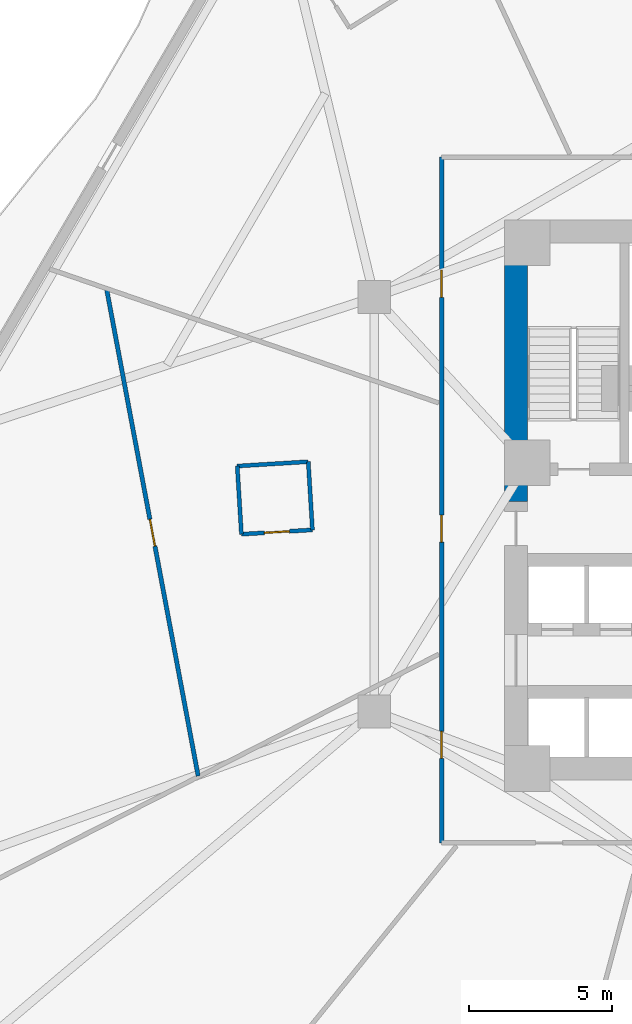
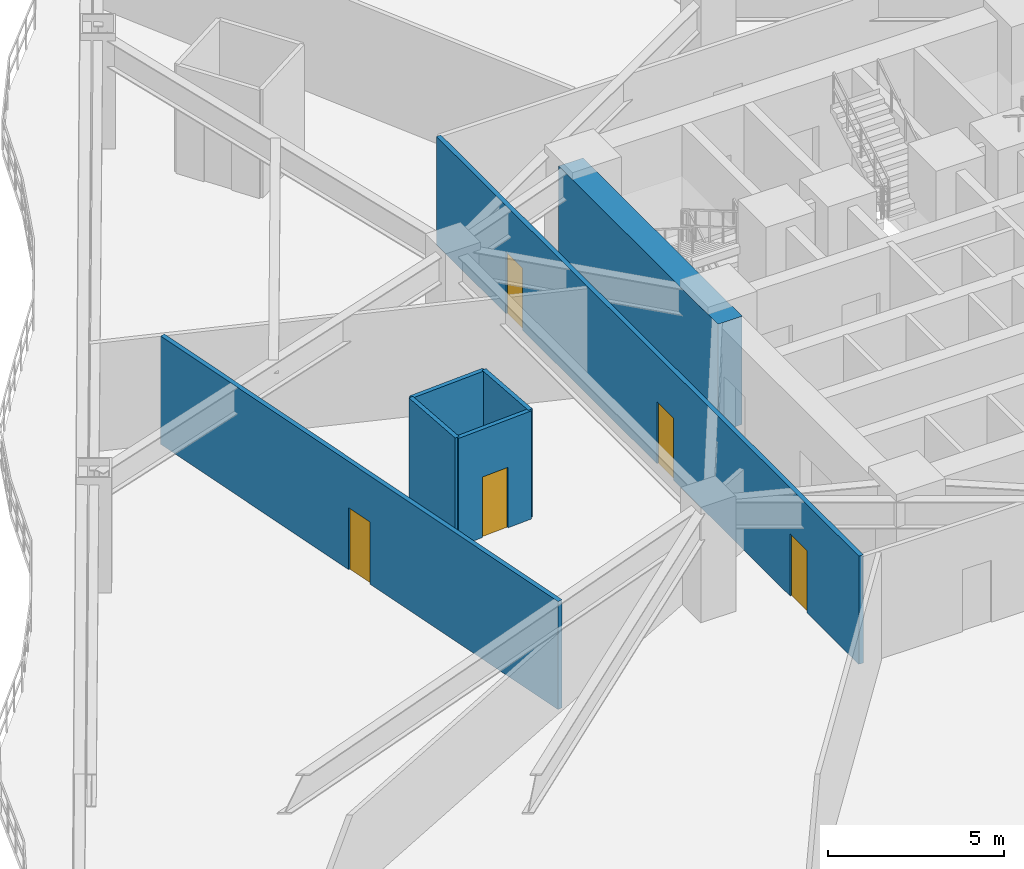
# One storey, part 3 of 12: 7 walls, 5 doors, 5 openings.
"""IFC4 building model written with IfcOpenShell, lengths in metres."""

import ifcopenshell
import ifcopenshell.guid

model = None  # the IFC model being written
_history = None  # IfcOwnerHistory: only IFC2X3 demands one
_inside = {}  # id of a spatial element -> (the spatial element, [elements in it])
_under = {}  # id of a project, library or spatial element -> (it, [spatial elements below it])
_declared = {}  # id of a project -> (the project, [libraries it declares])
_typed = {}  # id of a type object -> (the type object, [elements of that type])
_made_of = {}  # id of a material, layer set ... -> (it, [elements and type objects made of it])


def new_model(schema):
    """Start an empty IFC model of exactly this schema.

    Asked for "IFC4X3", IfcOpenShell would pick the latest addendum, in which some entities
    have other attributes; the version numbers below select the first issue.
    IFC2X3 requires an IfcOwnerHistory on every rooted entity: one is made here for all.
    """
    global model, _history
    if schema == "IFC4X3":
        model = ifcopenshell.file(schema_version=(4, 3, 0, 0))
    else:
        model = ifcopenshell.file(schema=schema)
    _inside.clear()
    _under.clear()
    _declared.clear()
    _typed.clear()
    _made_of.clear()
    _history = None
    if model.schema == "IFC2X3":
        org = make("IfcOrganization", Name="unknown")
        user = make(
            "IfcPersonAndOrganization",
            ThePerson=make("IfcPerson", FamilyName="unknown"),
            TheOrganization=org,
        )
        app = make(
            "IfcApplication",
            ApplicationDeveloper=org,
            Version="unknown",
            ApplicationFullName="unknown",
            ApplicationIdentifier="unknown",
        )
        _history = make(
            "IfcOwnerHistory",
            OwningUser=user,
            OwningApplication=app,
            ChangeAction="ADDED",
            CreationDate=0,
        )
    return model


def make(cls, **values):
    """One entity of the class cls with the attributes given. An attribute that is None is left unset."""
    return model.create_entity(
        cls, **{name: value for name, value in values.items() if value is not None}
    )


def rooted(cls, **values):
    """An entity with a GlobalId (a new one), such as an element, a storey or a relation."""
    return make(cls, GlobalId=ifcopenshell.guid.new(), OwnerHistory=_history, **values)


def si_unit(unit_type, name, prefix=None):
    """IfcSIUnit, for example si_unit("LENGTHUNIT", "METRE", prefix="MILLI")."""
    return make("IfcSIUnit", UnitType=unit_type, Prefix=prefix, Name=name)


def assignment(units):
    """IfcUnitAssignment: the units of a project."""
    return None if units is None else make("IfcUnitAssignment", Units=units)


def point(xyz):
    """IfcCartesianPoint."""
    return None if xyz is None else make("IfcCartesianPoint", Coordinates=xyz)


def direction(xyz):
    """IfcDirection."""
    return None if xyz is None else make("IfcDirection", DirectionRatios=xyz)


def frame(location, z_axis=None, x_axis=None):
    """IfcAxis2Placement3D, a coordinate frame: its origin and axes. An axis left out is left unset."""
    return make(
        "IfcAxis2Placement3D",
        Location=point(location),
        Axis=direction(z_axis),
        RefDirection=direction(x_axis),
    )


def frame_2d(location, x_axis=None):
    """IfcAxis2Placement2D, a coordinate frame in the plane: its origin and x axis."""
    return make(
        "IfcAxis2Placement2D", Location=point(location), RefDirection=direction(x_axis)
    )


def origin():
    """The frame at (0, 0, 0) with its axes left unset."""
    return frame((0.0, 0.0, 0.0))


def place(relative_to, where):
    """IfcLocalPlacement: puts the frame where relative to a parent placement (None: the world)."""
    return make(
        "IfcLocalPlacement", PlacementRelTo=relative_to, RelativePlacement=where
    )


def context(
    kind, dimensions, precision=None, world=None, true_north=None, identifier=None
):
    """IfcGeometricRepresentationContext, for example the 3D "Model" context."""
    return make(
        "IfcGeometricRepresentationContext",
        ContextIdentifier=identifier,
        ContextType=kind,
        CoordinateSpaceDimension=dimensions,
        Precision=precision,
        WorldCoordinateSystem=world,
        TrueNorth=true_north,
    )


def subcontext(parent, identifier, kind, view, scale=None):
    """IfcGeometricRepresentationSubContext, for example "Body" below "Model"."""
    return make(
        "IfcGeometricRepresentationSubContext",
        ContextIdentifier=identifier,
        ContextType=kind,
        ParentContext=parent,
        TargetScale=scale,
        TargetView=view,
    )


def project(units=None, contexts=None):
    """IfcProject with its units and contexts."""
    return rooted(
        "IfcProject",
        Name="project",
        RepresentationContexts=contexts,
        UnitsInContext=assignment(units),
    )


def spatial(cls, under=None, at=None, **own):
    """A site, building, storey or space (cls), placed at a placement, below another one or the project."""
    s = rooted(cls, ObjectPlacement=at, **own)
    if under is not None:
        _under.setdefault(under.id(), (under, []))[1].append(s)
    return s


def profile(cls, at=None, kind="AREA", **sizes):
    """A parametric profile (cls). Its sizes go by their IFC names, for example OverallWidth=200.0."""
    return make(cls, ProfileType=kind, Position=at, **sizes)


def rectangle(**sizes):
    """IfcRectangleProfileDef."""
    return profile("IfcRectangleProfileDef", **sizes)


def extrude(swept, where, along, depth):
    """IfcExtrudedAreaSolid: the profile swept, set in the frame where, extruded along a direction by depth."""
    return make(
        "IfcExtrudedAreaSolid",
        SweptArea=swept,
        Position=where,
        ExtrudedDirection=direction(along),
        Depth=depth,
    )


def shape(context_of_items, identifier, shape_type, items):
    """IfcShapeRepresentation: the items that make up one representation, for example the "Body"."""
    return make(
        "IfcShapeRepresentation",
        ContextOfItems=context_of_items,
        RepresentationIdentifier=identifier,
        RepresentationType=shape_type,
        Items=items,
    )


def material(Name=None, Category=None):
    """IfcMaterial."""
    return make("IfcMaterial", Name=Name, Category=Category)


def layer(
    of_material, thickness, ventilated=None, Name=None, Category=None, Priority=None
):
    """IfcMaterialLayer: one layer of a wall or slab, of a material (None: an air gap)."""
    return make(
        "IfcMaterialLayer",
        Material=of_material,
        LayerThickness=thickness,
        IsVentilated=ventilated,
        Name=Name,
        Category=Category,
        Priority=Priority,
    )


def layer_set(layers, Name=None):
    """IfcMaterialLayerSet."""
    return make("IfcMaterialLayerSet", MaterialLayers=layers, LayerSetName=Name)


def made_of(thing, what):
    """Note that an element or type object is made of a material, layer set ...; save() writes the relation."""
    if what is not None:
        _made_of.setdefault(what.id(), (what, []))[1].append(thing)
    return thing


def type_object(cls, material=None, **own):
    """A type object (cls), such as IfcWallType, which elements share."""
    return made_of(rooted(cls, **own), material)


def element(
    cls,
    number,
    at=None,
    inside=None,
    cuts=None,
    type_object=None,
    material=None,
    context=None,
    identifier="Body",
    shape_type=None,
    held_by="IfcProductDefinitionShape",
    body=None,
    shapes=None,
    **own,
):
    """One element of the class cls, such as IfcWall. Its Tag is "e" and its number.

    at: its placement. inside: the storey or other place that contains it. cuts: it is an
    opening in that element (IfcRelVoidsElement). A single representation is given by context,
    identifier, shape_type and body (its items); several are given by shapes. held_by: the class
    of the entity that holds the representations. save() writes the other relations.
    """
    e = rooted(cls, Tag="e%d" % number, ObjectPlacement=at, **own)
    if body is not None:
        shapes = [shape(context, identifier, shape_type, body)]
    if shapes is not None:
        e.Representation = make(held_by, Representations=shapes)
    if inside is not None:
        _inside.setdefault(inside.id(), (inside, []))[1].append(e)
    if cuts is not None:
        rooted(
            "IfcRelVoidsElement", RelatingBuildingElement=cuts, RelatedOpeningElement=e
        )
    if type_object is not None:
        _typed.setdefault(type_object.id(), (type_object, []))[1].append(e)
    return made_of(e, material)


def fill(opening, filler):
    """IfcRelFillsElement: the door or window that sits in an opening."""
    return rooted(
        "IfcRelFillsElement",
        RelatingOpeningElement=opening,
        RelatedBuildingElement=filler,
    )


def aggregate(whole, parts):
    """IfcRelAggregates: a whole, such as a stair, and the parts it consists of."""
    return rooted("IfcRelAggregates", RelatingObject=whole, RelatedObjects=parts)


def save(model, path):
    """Write the relations noted so far, then the file.

    IfcRelAggregates (storeys below a building ...), IfcRelContainedInSpatialStructure (elements
    in a storey), IfcRelDefinesByType, IfcRelAssociatesMaterial and IfcRelDeclares: one each for
    every whole, place, type object, material and project.
    """
    for whole, parts in _under.values():
        aggregate(whole, parts)
    for where, things in _inside.values():
        rooted(
            "IfcRelContainedInSpatialStructure",
            RelatedElements=things,
            RelatingStructure=where,
        )
    for kind, things in _typed.values():
        rooted("IfcRelDefinesByType", RelatedObjects=things, RelatingType=kind)
    for what, things in _made_of.values():
        rooted("IfcRelAssociatesMaterial", RelatedObjects=things, RelatingMaterial=what)
    for by, libraries in _declared.values():
        rooted("IfcRelDeclares", RelatingContext=by, RelatedDefinitions=libraries)
    model.write(path)


model = new_model("IFC4")

# Units and contexts
model_context = context("Model", 3, precision=1e-05, world=origin(), true_north=direction((0.0, 1.0)))
body_context = subcontext(model_context, "Body", "Model", "MODEL_VIEW")
ifc_project = project(units=[si_unit("LENGTHUNIT", "METRE"), si_unit("AREAUNIT", "SQUARE_METRE"), si_unit("VOLUMEUNIT", "CUBIC_METRE"), si_unit("PLANEANGLEUNIT", "RADIAN"), si_unit("MASSUNIT", "GRAM", prefix="KILO")], contexts=[model_context])

# Site, building, storey
site_placement = place(None, origin())
site = spatial("IfcSite", under=ifc_project, at=site_placement, CompositionType="ELEMENT")
building_placement = place(site_placement, origin())
building = spatial("IfcBuilding", under=site, at=building_placement, Name="Apsidion Concourse Tower", CompositionType="ELEMENT")
storey_placement = place(building_placement, frame((0.0, 0.0, 42.39990234375)))
storey = spatial("IfcBuildingStorey", under=building, at=storey_placement, Name="L08", CompositionType="ELEMENT", Elevation=42.39990234375)

# Walls
ifc_material_1 = material(Name="Gypsum plasterboard partition")
ifc_layer_1 = layer(ifc_material_1, 0.139892578125)
ifc_layer_set_1 = layer_set([ifc_layer_1], Name="Gypsum plasterboard partition")
wall_type_1 = type_object("IfcWallType", Name="WL-INT-PAR-140", PredefinedType="PARTITIONING", material=ifc_layer_set_1)
wall_1_placement = place(storey_placement, frame((-14.86865234375, 1.489501953125, 0.0), z_axis=(0.0, 0.0, 1.0), x_axis=(-0.998138593178, -0.060986464141, 0.0)))
element("IfcWall", 1, at=wall_1_placement, inside=storey, type_object=wall_type_1, Name="L08 Interior Partition WL-L08-POD-HKAWC-S1", PredefinedType="PARTITIONING", context=body_context, shape_type="SweptSolid", body=[
    extrude(rectangle(XDim=2.489990234375, YDim=0.139892578125, at=frame_2d((1.2451171875, 0.0))), origin(), (0.0, 0.0, 1.0), 3.75),
])
wall_2_placement = place(storey_placement, frame((-17.35400390625, 1.337646484375, 0.0), z_axis=(0.0, 0.0, 1.0), x_axis=(0.060985444409, -0.998138655483, 0.0)))
element("IfcWall", 2, at=wall_2_placement, inside=storey, type_object=wall_type_1, Name="L08 Interior Partition WL-L08-POD-HKAWC-S2", PredefinedType="PARTITIONING", context=body_context, shape_type="SweptSolid", body=[
    extrude(rectangle(XDim=2.389892578125, YDim=0.139892578125, at=frame_2d((1.19482421875, 0.0))), origin(), (0.0, 0.0, 1.0), 3.75),
])

# Wall, opening, door
wall_3_placement = place(storey_placement, frame((-17.208251953125, -1.0478515625, 0.0), z_axis=(0.0, 0.0, 1.0), x_axis=(0.998138593178, 0.060986464141, 0.0)))
wall_3 = element("IfcWall", 3, at=wall_3_placement, inside=storey, type_object=wall_type_1, Name="L08 Interior Partition WL-L08-POD-HKAWC-S3", PredefinedType="PARTITIONING", context=body_context, shape_type="SweptSolid", body=[
    extrude(rectangle(XDim=2.489990234375, YDim=0.139892578125, at=frame_2d((1.2451171875, 0.0))), origin(), (0.0, 0.0, 1.0), 3.75),
])
opening_1_placement = place(wall_3_placement, frame((0.804931640625, 0.0, 0.0)))
opening_1 = element("IfcOpeningElement", 4, at=opening_1_placement, cuts=wall_3, Name="Opening D-03L", PredefinedType="OPENING", context=body_context, shape_type="SweptSolid", body=[
    extrude(rectangle(XDim=0.8798828125, YDim=2.10009765625, at=frame_2d((0.43994140625, 1.050048828125))), frame((0.0, 0.080078125, 0.0), z_axis=(0.0, -1.0, 0.0), x_axis=(1.0, 0.0, 0.0)), (0.0, 0.0, 1.0), 0.159912109375),
])
ifc_material_2 = material(Name="Anodised aluminium EN AW-6063 T6", Category="aluminium")
door_type_1 = type_object("IfcDoorType", Name="DR-INT-D03L", OperationType="SINGLE_SWING_LEFT", PredefinedType="DOOR", material=ifc_material_2)
door_1_placement = place(opening_1_placement, origin())
door_1 = element("IfcDoor", 5, at=door_1_placement, inside=storey, type_object=door_type_1, Name="L08 Hotel Accessible WC Door HKAWC", OperationType="SINGLE_SWING_LEFT", OverallHeight=2.10009765625, OverallWidth=0.8798828125, PredefinedType="DOOR", context=body_context, shape_type="SweptSolid", body=[
    extrude(rectangle(XDim=0.8798828125, YDim=2.10009765625, at=frame_2d((0.43994140625, 1.050048828125))), frame((0.0, 0.02490234375, 0.0), z_axis=(0.0, -1.0, 0.0), x_axis=(1.0, 0.0, 0.0)), (0.0, 0.0, 1.0), 0.050048828125),
])
fill(opening_1, door_1)

# Wall
wall_4_placement = place(storey_placement, frame((-14.722900390625, -0.89599609375, 0.0), z_axis=(0.0, 0.0, 1.0), x_axis=(-0.060985444409, 0.998138655483, 0.0)))
element("IfcWall", 6, at=wall_4_placement, inside=storey, type_object=wall_type_1, Name="L08 Interior Partition WL-L08-POD-HKAWC-S4", PredefinedType="PARTITIONING", context=body_context, shape_type="SweptSolid", body=[
    extrude(rectangle(XDim=2.389892578125, YDim=0.139892578125, at=frame_2d((1.19482421875, 0.0))), origin(), (0.0, 0.0, 1.0), 3.75),
])

# Wall, openings, doors
ifc_layer_2 = layer(ifc_material_1, 0.14990234375)
ifc_layer_set_2 = layer_set([ifc_layer_2], Name="Gypsum plasterboard partition")
wall_type_2 = type_object("IfcWallType", Name="WL-INT-PAR-150", PredefinedType="PARTITIONING", material=ifc_layer_set_2)
wall_5_placement = place(storey_placement, frame((-10.199951171875, -11.85009765625, 0.0), z_axis=(0.0, 0.0, 1.0), x_axis=(0.0, 1.0, 0.0)))
wall_5 = element("IfcWall", 7, at=wall_5_placement, inside=storey, type_object=wall_type_2, Name="L08 Interior Partition WL-L08-CORR-04", PredefinedType="PARTITIONING", context=body_context, shape_type="SweptSolid", body=[
    extrude(rectangle(XDim=24.0, YDim=0.14990234375, at=frame_2d((12.0, 0.0))), origin(), (0.0, 0.0, 1.0), 3.75),
])
opening_2_placement = place(wall_5_placement, frame((10.524169921875, 0.0, 0.0)))
opening_2 = element("IfcOpeningElement", 8, at=opening_2_placement, cuts=wall_5, Name="Opening D-01L", PredefinedType="OPENING", context=body_context, shape_type="SweptSolid", body=[
    extrude(rectangle(XDim=0.949951171875, YDim=2.14990234375, at=frame_2d((0.47509765625, 1.074951171875))), frame((0.0, 0.0849609375, 0.0), z_axis=(0.0, -1.0, 0.0), x_axis=(1.0, 0.0, 0.0)), (0.0, 0.0, 1.0), 0.169921875),
])
opening_3_placement = place(wall_5_placement, frame((2.95458984375, 0.0, 0.0)))
opening_3 = element("IfcOpeningElement", 9, at=opening_3_placement, cuts=wall_5, Name="Opening D-01R", PredefinedType="OPENING", context=body_context, shape_type="SweptSolid", body=[
    extrude(rectangle(XDim=0.949951171875, YDim=2.14990234375, at=frame_2d((0.47509765625, 1.074951171875))), frame((0.0, 0.0849609375, 0.0), z_axis=(0.0, -1.0, 0.0), x_axis=(1.0, 0.0, 0.0)), (0.0, 0.0, 1.0), 0.169921875),
])
opening_4_placement = place(wall_5_placement, frame((19.094482421875, 0.0, 0.0)))
opening_4 = element("IfcOpeningElement", 10, at=opening_4_placement, cuts=wall_5, Name="Opening D-01R", PredefinedType="OPENING", context=body_context, shape_type="SweptSolid", body=[
    extrude(rectangle(XDim=0.949951171875, YDim=2.14990234375, at=frame_2d((0.47509765625, 1.074951171875))), frame((0.0, 0.0849609375, 0.0), z_axis=(0.0, -1.0, 0.0), x_axis=(1.0, 0.0, 0.0)), (0.0, 0.0, 1.0), 0.169921875),
])
ifc_material_3 = material(Name="Brushed stainless steel 316", Category="steel")
door_type_2 = type_object("IfcDoorType", Name="DR-INT-D01L", OperationType="SINGLE_SWING_LEFT", PredefinedType="DOOR", material=ifc_material_3)
door_2_placement = place(opening_2_placement, origin())
door_2 = element("IfcDoor", 11, at=door_2_placement, inside=storey, type_object=door_type_2, Name="L08 Corridor Entry Door 01", OperationType="SINGLE_SWING_LEFT", OverallHeight=2.14990234375, OverallWidth=0.949951171875, PredefinedType="DOOR", context=body_context, shape_type="SweptSolid", body=[
    extrude(rectangle(XDim=0.949951171875, YDim=2.14990234375, at=frame_2d((0.47509765625, 1.074951171875))), frame((0.0, 0.02490234375, 0.0), z_axis=(0.0, -1.0, 0.0), x_axis=(1.0, 0.0, 0.0)), (0.0, 0.0, 1.0), 0.050048828125),
])
fill(opening_2, door_2)
door_type_3 = type_object("IfcDoorType", Name="DR-INT-D01R", OperationType="SINGLE_SWING_RIGHT", PredefinedType="DOOR", material=ifc_material_3)
door_3_placement = place(opening_3_placement, origin())
door_3 = element("IfcDoor", 12, at=door_3_placement, inside=storey, type_object=door_type_3, Name="L08 Corridor Entry Door 02", OperationType="SINGLE_SWING_RIGHT", OverallHeight=2.14990234375, OverallWidth=0.949951171875, PredefinedType="DOOR", context=body_context, shape_type="SweptSolid", body=[
    extrude(rectangle(XDim=0.949951171875, YDim=2.14990234375, at=frame_2d((0.47509765625, 1.074951171875))), frame((0.0, 0.02490234375, 0.0), z_axis=(0.0, -1.0, 0.0), x_axis=(1.0, 0.0, 0.0)), (0.0, 0.0, 1.0), 0.050048828125),
])
fill(opening_3, door_3)
door_4_placement = place(opening_4_placement, origin())
door_4 = element("IfcDoor", 13, at=door_4_placement, inside=storey, type_object=door_type_3, Name="L08 Corridor Entry Door 10", OperationType="SINGLE_SWING_RIGHT", OverallHeight=2.14990234375, OverallWidth=0.949951171875, PredefinedType="DOOR", context=body_context, shape_type="SweptSolid", body=[
    extrude(rectangle(XDim=0.949951171875, YDim=2.14990234375, at=frame_2d((0.47509765625, 1.074951171875))), frame((0.0, 0.02490234375, 0.0), z_axis=(0.0, -1.0, 0.0), x_axis=(1.0, 0.0, 0.0)), (0.0, 0.0, 1.0), 0.050048828125),
])
fill(opening_4, door_4)

# Wall, opening, door
wall_6_placement = place(storey_placement, frame((-21.9248046875, 7.522705078125, 0.0), z_axis=(0.0, 0.0, 1.0), x_axis=(0.184777528705, -0.982780374695, 0.0)))
wall_6 = element("IfcWall", 14, at=wall_6_placement, inside=storey, type_object=wall_type_2, Name="L08 Interior Partition WL-L08-CHD-HKWC", PredefinedType="PARTITIONING", context=body_context, shape_type="SweptSolid", body=[
    extrude(rectangle(XDim=17.332275390625, YDim=0.14990234375, at=frame_2d((8.666015625, 0.0))), origin(), (0.0, 0.0, 1.0), 3.75),
])
opening_5_placement = place(wall_6_placement, frame((8.19140625, 0.0, 0.0)))
opening_5 = element("IfcOpeningElement", 15, at=opening_5_placement, cuts=wall_6, Name="Opening D-04R", PredefinedType="OPENING", context=body_context, shape_type="SweptSolid", body=[
    extrude(rectangle(XDim=0.949951171875, YDim=2.14990234375, at=frame_2d((0.47509765625, 1.074951171875))), frame((0.0, 0.0849609375, 0.0), z_axis=(0.0, -1.0, 0.0), x_axis=(1.0, 0.0, 0.0)), (0.0, 0.0, 1.0), 0.169921875),
])
door_type_4 = type_object("IfcDoorType", Name="DR-INT-D04R", OperationType="SINGLE_SWING_RIGHT", PredefinedType="DOOR", material=ifc_material_3)
door_5_placement = place(opening_5_placement, origin())
door_5 = element("IfcDoor", 16, at=door_5_placement, inside=storey, type_object=door_type_4, Name="L08 Suite Connecting Door HKWC", OperationType="SINGLE_SWING_RIGHT", OverallHeight=2.14990234375, OverallWidth=0.949951171875, PredefinedType="DOOR", context=body_context, shape_type="SweptSolid", body=[
    extrude(rectangle(XDim=0.949951171875, YDim=2.14990234375, at=frame_2d((0.47509765625, 1.074951171875))), frame((0.0, 0.02490234375, 0.0), z_axis=(0.0, -1.0, 0.0), x_axis=(1.0, 0.0, 0.0)), (0.0, 0.0, 1.0), 0.050048828125),
])
fill(opening_5, door_5)

# Wall
ifc_material_4 = material(Name="Concrete C60/75", Category="concrete")
ifc_layer_3 = layer(ifc_material_4, 0.800048828125)
ifc_layer_set_3 = layer_set([ifc_layer_3], Name="Concrete C60/75")
wall_type_3 = type_object("IfcWallType", Name="WL-SH-800", PredefinedType="SHEAR", material=ifc_layer_set_3)
wall_7_placement = place(storey_placement, frame((-7.60009765625, 0.10009765625, 0.0), z_axis=(0.0, 0.0, 1.0), x_axis=(0.0, 1.0, 0.0)))
element("IfcWall", 17, at=wall_7_placement, inside=storey, type_object=wall_type_3, Name="L08 Central Core Shear Wall WN", PredefinedType="SHEAR", context=body_context, shape_type="SweptSolid", body=[
    extrude(rectangle(XDim=9.0498046875, YDim=0.800048828125, at=frame_2d((4.52490234375, 0.0))), origin(), (0.0, 0.0, 1.0), 3.75),
])

save(model, "model.ifc")
